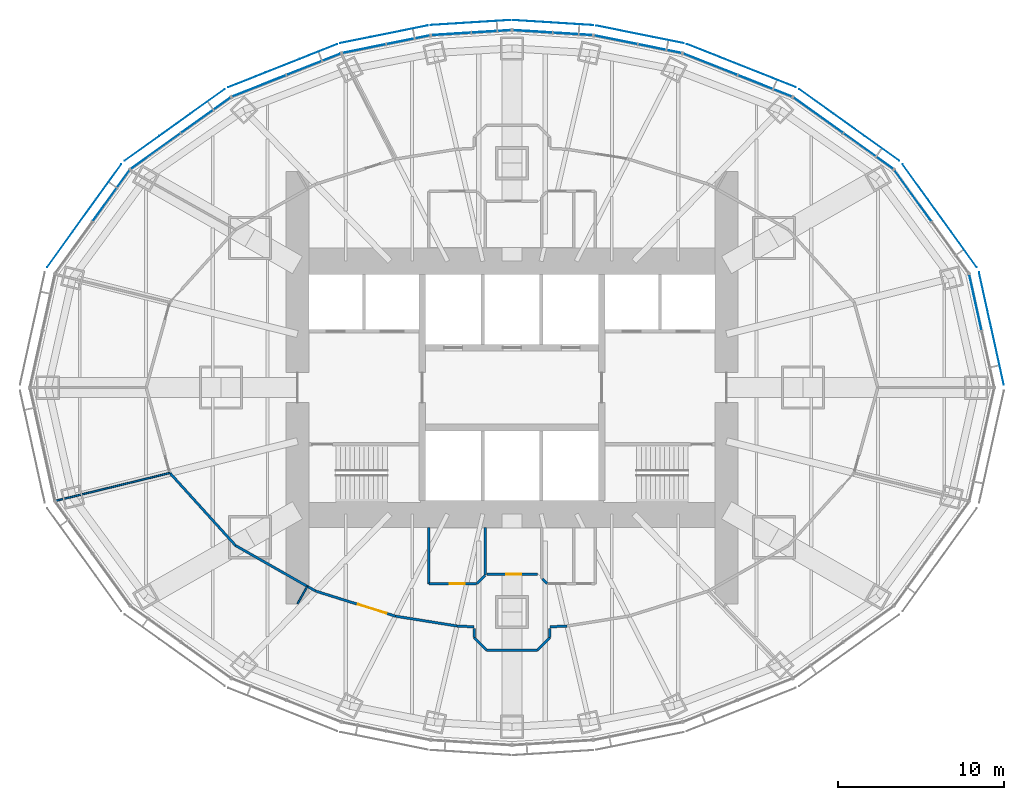
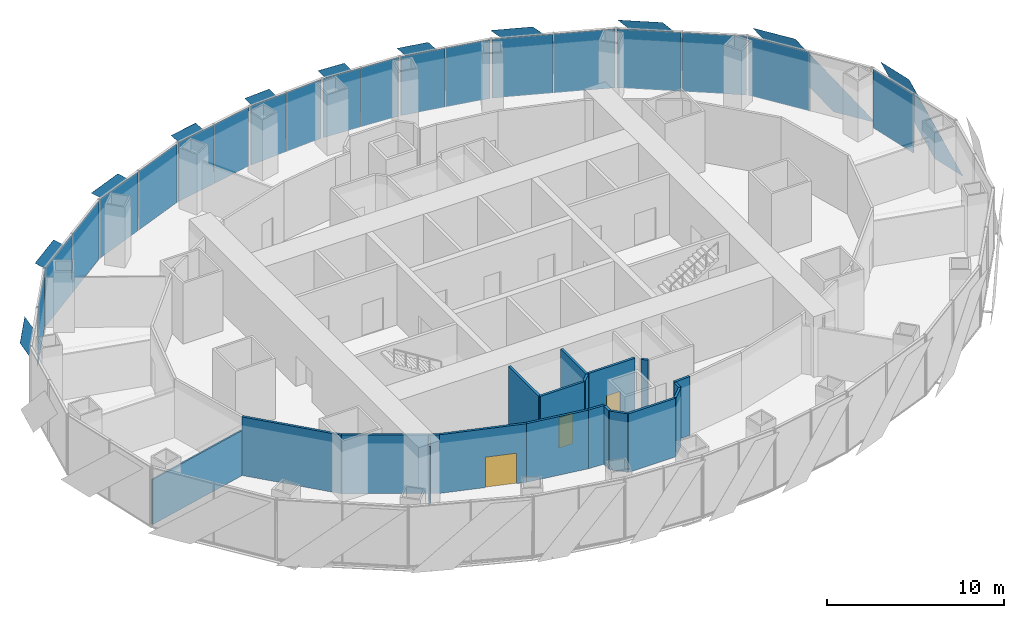
# One storey, part 10 of 17: 30 plates, 19 walls, 3 doors, 3 openings, 11 elements without a shape of their own.
"""IFC4 building model written with IfcOpenShell, lengths in metres."""

import ifcopenshell
import ifcopenshell.guid

model = None  # the IFC model being written
_history = None  # IfcOwnerHistory: only IFC2X3 demands one
_inside = {}  # id of a spatial element -> (the spatial element, [elements in it])
_under = {}  # id of a project, library or spatial element -> (it, [spatial elements below it])
_declared = {}  # id of a project -> (the project, [libraries it declares])
_typed = {}  # id of a type object -> (the type object, [elements of that type])
_made_of = {}  # id of a material, layer set ... -> (it, [elements and type objects made of it])


def new_model(schema):
    """Start an empty IFC model of exactly this schema.

    Asked for "IFC4X3", IfcOpenShell would pick the latest addendum, in which some entities
    have other attributes; the version numbers below select the first issue.
    IFC2X3 requires an IfcOwnerHistory on every rooted entity: one is made here for all.
    """
    global model, _history
    if schema == "IFC4X3":
        model = ifcopenshell.file(schema_version=(4, 3, 0, 0))
    else:
        model = ifcopenshell.file(schema=schema)
    _inside.clear()
    _under.clear()
    _declared.clear()
    _typed.clear()
    _made_of.clear()
    _history = None
    if model.schema == "IFC2X3":
        org = make("IfcOrganization", Name="unknown")
        user = make(
            "IfcPersonAndOrganization",
            ThePerson=make("IfcPerson", FamilyName="unknown"),
            TheOrganization=org,
        )
        app = make(
            "IfcApplication",
            ApplicationDeveloper=org,
            Version="unknown",
            ApplicationFullName="unknown",
            ApplicationIdentifier="unknown",
        )
        _history = make(
            "IfcOwnerHistory",
            OwningUser=user,
            OwningApplication=app,
            ChangeAction="ADDED",
            CreationDate=0,
        )
    return model


def make(cls, **values):
    """One entity of the class cls with the attributes given. An attribute that is None is left unset."""
    return model.create_entity(
        cls, **{name: value for name, value in values.items() if value is not None}
    )


def rooted(cls, **values):
    """An entity with a GlobalId (a new one), such as an element, a storey or a relation."""
    return make(cls, GlobalId=ifcopenshell.guid.new(), OwnerHistory=_history, **values)


def si_unit(unit_type, name, prefix=None):
    """IfcSIUnit, for example si_unit("LENGTHUNIT", "METRE", prefix="MILLI")."""
    return make("IfcSIUnit", UnitType=unit_type, Prefix=prefix, Name=name)


def assignment(units):
    """IfcUnitAssignment: the units of a project."""
    return None if units is None else make("IfcUnitAssignment", Units=units)


def point(xyz):
    """IfcCartesianPoint."""
    return None if xyz is None else make("IfcCartesianPoint", Coordinates=xyz)


def direction(xyz):
    """IfcDirection."""
    return None if xyz is None else make("IfcDirection", DirectionRatios=xyz)


def frame(location, z_axis=None, x_axis=None):
    """IfcAxis2Placement3D, a coordinate frame: its origin and axes. An axis left out is left unset."""
    return make(
        "IfcAxis2Placement3D",
        Location=point(location),
        Axis=direction(z_axis),
        RefDirection=direction(x_axis),
    )


def frame_2d(location, x_axis=None):
    """IfcAxis2Placement2D, a coordinate frame in the plane: its origin and x axis."""
    return make(
        "IfcAxis2Placement2D", Location=point(location), RefDirection=direction(x_axis)
    )


def origin():
    """The frame at (0, 0, 0) with its axes left unset."""
    return frame((0.0, 0.0, 0.0))


def origin_2d():
    """The frame at (0, 0) in the plane with its x axis left unset."""
    return frame_2d((0.0, 0.0))


def place(relative_to, where):
    """IfcLocalPlacement: puts the frame where relative to a parent placement (None: the world)."""
    return make(
        "IfcLocalPlacement", PlacementRelTo=relative_to, RelativePlacement=where
    )


def context(
    kind, dimensions, precision=None, world=None, true_north=None, identifier=None
):
    """IfcGeometricRepresentationContext, for example the 3D "Model" context."""
    return make(
        "IfcGeometricRepresentationContext",
        ContextIdentifier=identifier,
        ContextType=kind,
        CoordinateSpaceDimension=dimensions,
        Precision=precision,
        WorldCoordinateSystem=world,
        TrueNorth=true_north,
    )


def subcontext(parent, identifier, kind, view, scale=None):
    """IfcGeometricRepresentationSubContext, for example "Body" below "Model"."""
    return make(
        "IfcGeometricRepresentationSubContext",
        ContextIdentifier=identifier,
        ContextType=kind,
        ParentContext=parent,
        TargetScale=scale,
        TargetView=view,
    )


def project(units=None, contexts=None):
    """IfcProject with its units and contexts."""
    return rooted(
        "IfcProject",
        Name="project",
        RepresentationContexts=contexts,
        UnitsInContext=assignment(units),
    )


def spatial(cls, under=None, at=None, **own):
    """A site, building, storey or space (cls), placed at a placement, below another one or the project."""
    s = rooted(cls, ObjectPlacement=at, **own)
    if under is not None:
        _under.setdefault(under.id(), (under, []))[1].append(s)
    return s


def polyline(points):
    """IfcPolyline through the points."""
    return make("IfcPolyline", Points=[point(p) for p in points])


def profile(cls, at=None, kind="AREA", **sizes):
    """A parametric profile (cls). Its sizes go by their IFC names, for example OverallWidth=200.0."""
    return make(cls, ProfileType=kind, Position=at, **sizes)


def rectangle(**sizes):
    """IfcRectangleProfileDef."""
    return profile("IfcRectangleProfileDef", **sizes)


def outline(outer, holes=None, kind="AREA"):
    """IfcArbitraryClosedProfileDef: a profile drawn as a closed curve; with holes, ...WithVoids."""
    if holes is None:
        return make("IfcArbitraryClosedProfileDef", ProfileType=kind, OuterCurve=outer)
    return make(
        "IfcArbitraryProfileDefWithVoids",
        ProfileType=kind,
        OuterCurve=outer,
        InnerCurves=holes,
    )


def extrude(swept, where, along, depth):
    """IfcExtrudedAreaSolid: the profile swept, set in the frame where, extruded along a direction by depth."""
    return make(
        "IfcExtrudedAreaSolid",
        SweptArea=swept,
        Position=where,
        ExtrudedDirection=direction(along),
        Depth=depth,
    )


def shape(context_of_items, identifier, shape_type, items):
    """IfcShapeRepresentation: the items that make up one representation, for example the "Body"."""
    return make(
        "IfcShapeRepresentation",
        ContextOfItems=context_of_items,
        RepresentationIdentifier=identifier,
        RepresentationType=shape_type,
        Items=items,
    )


def material(Name=None, Category=None):
    """IfcMaterial."""
    return make("IfcMaterial", Name=Name, Category=Category)


def layer(
    of_material, thickness, ventilated=None, Name=None, Category=None, Priority=None
):
    """IfcMaterialLayer: one layer of a wall or slab, of a material (None: an air gap)."""
    return make(
        "IfcMaterialLayer",
        Material=of_material,
        LayerThickness=thickness,
        IsVentilated=ventilated,
        Name=Name,
        Category=Category,
        Priority=Priority,
    )


def layer_set(layers, Name=None):
    """IfcMaterialLayerSet."""
    return make("IfcMaterialLayerSet", MaterialLayers=layers, LayerSetName=Name)


def made_of(thing, what):
    """Note that an element or type object is made of a material, layer set ...; save() writes the relation."""
    if what is not None:
        _made_of.setdefault(what.id(), (what, []))[1].append(thing)
    return thing


def type_object(cls, material=None, **own):
    """A type object (cls), such as IfcWallType, which elements share."""
    return made_of(rooted(cls, **own), material)


def element(
    cls,
    number,
    at=None,
    inside=None,
    cuts=None,
    type_object=None,
    material=None,
    context=None,
    identifier="Body",
    shape_type=None,
    held_by="IfcProductDefinitionShape",
    body=None,
    shapes=None,
    **own,
):
    """One element of the class cls, such as IfcWall. Its Tag is "e" and its number.

    at: its placement. inside: the storey or other place that contains it. cuts: it is an
    opening in that element (IfcRelVoidsElement). A single representation is given by context,
    identifier, shape_type and body (its items); several are given by shapes. held_by: the class
    of the entity that holds the representations. save() writes the other relations.
    """
    e = rooted(cls, Tag="e%d" % number, ObjectPlacement=at, **own)
    if body is not None:
        shapes = [shape(context, identifier, shape_type, body)]
    if shapes is not None:
        e.Representation = make(held_by, Representations=shapes)
    if inside is not None:
        _inside.setdefault(inside.id(), (inside, []))[1].append(e)
    if cuts is not None:
        rooted(
            "IfcRelVoidsElement", RelatingBuildingElement=cuts, RelatedOpeningElement=e
        )
    if type_object is not None:
        _typed.setdefault(type_object.id(), (type_object, []))[1].append(e)
    return made_of(e, material)


def fill(opening, filler):
    """IfcRelFillsElement: the door or window that sits in an opening."""
    return rooted(
        "IfcRelFillsElement",
        RelatingOpeningElement=opening,
        RelatedBuildingElement=filler,
    )


def aggregate(whole, parts):
    """IfcRelAggregates: a whole, such as a stair, and the parts it consists of."""
    return rooted("IfcRelAggregates", RelatingObject=whole, RelatedObjects=parts)


def save(model, path):
    """Write the relations noted so far, then the file.

    IfcRelAggregates (storeys below a building ...), IfcRelContainedInSpatialStructure (elements
    in a storey), IfcRelDefinesByType, IfcRelAssociatesMaterial and IfcRelDeclares: one each for
    every whole, place, type object, material and project.
    """
    for whole, parts in _under.values():
        aggregate(whole, parts)
    for where, things in _inside.values():
        rooted(
            "IfcRelContainedInSpatialStructure",
            RelatedElements=things,
            RelatingStructure=where,
        )
    for kind, things in _typed.values():
        rooted("IfcRelDefinesByType", RelatedObjects=things, RelatingType=kind)
    for what, things in _made_of.values():
        rooted("IfcRelAssociatesMaterial", RelatedObjects=things, RelatingMaterial=what)
    for by, libraries in _declared.values():
        rooted("IfcRelDeclares", RelatingContext=by, RelatedDefinitions=libraries)
    model.write(path)


model = new_model("IFC4")

# Units and contexts
model_context = context("Model", 3, precision=1e-05, world=origin(), true_north=direction((0.0, 1.0)))
body_context = subcontext(model_context, "Body", "Model", "MODEL_VIEW")
ifc_project = project(units=[si_unit("LENGTHUNIT", "METRE"), si_unit("AREAUNIT", "SQUARE_METRE"), si_unit("VOLUMEUNIT", "CUBIC_METRE"), si_unit("PLANEANGLEUNIT", "RADIAN"), si_unit("MASSUNIT", "GRAM", prefix="KILO")], contexts=[model_context])

# Site, building, storey
site_placement = place(None, origin())
site = spatial("IfcSite", under=ifc_project, at=site_placement, CompositionType="ELEMENT")
building_placement = place(site_placement, origin())
building = spatial("IfcBuilding", under=site, at=building_placement, Name="Lantaw Convention Tower", CompositionType="ELEMENT")
storey_placement = place(building_placement, frame((0.0, 0.0, 117.39990234375)))
storey = spatial("IfcBuildingStorey", under=building, at=storey_placement, Name="L27", CompositionType="ELEMENT", Elevation=117.39990234375)

# Curtain wall, plate
ifc_material_1 = material(Name="Aluminium framed curtain wall", Category="aluminium")
curtain_wall_type = type_object("IfcCurtainWallType", Name="Office curtain wall low rise, pale aluminium", PredefinedType="USERDEFINED", material=ifc_material_1)
curtain_wall_1_placement = place(storey_placement, origin())
curtain_wall_1 = element("IfcCurtainWall", 1, at=curtain_wall_1_placement, inside=storey, type_object=curtain_wall_type, Name="Office curtain wall low rise, pale aluminium L27", ObjectType="UNITISED CURTAIN WALL", PredefinedType="USERDEFINED")
ifc_material_2 = material(Name="Clear insulating glass", Category="glass")
ifc_layer_1 = layer(ifc_material_2, 0.028076171875)
ifc_layer_set_1 = layer_set([ifc_layer_1], Name="CW-O1 panel 28")
plate_type_1 = type_object("IfcPlateType", Name="CW-O1 panel 28", PredefinedType="CURTAIN_PANEL", material=ifc_layer_set_1)
plate_1_placement = place(storey_placement, frame((27.868896484375, 5.1240234375, -0.0849609375), z_axis=(0.0, 0.0, 1.0), x_axis=(-0.215546166174, 0.9764936509, 0.0)))
plate_1 = element("IfcPlate", 2, at=plate_1_placement, type_object=plate_type_1, Name="CW-O1 panel 2.1", PredefinedType="CURTAIN_PANEL", context=body_context, shape_type="SweptSolid", body=[
    extrude(rectangle(XDim=3.41162109375, YDim=0.028076171875, at=origin_2d()), origin(), (0.0, 0.0, 1.0), 4.070068359375),
])
aggregate(curtain_wall_1, [plate_1])

curtain_wall_2_placement = place(storey_placement, origin())
curtain_wall_2 = element("IfcCurtainWall", 3, at=curtain_wall_2_placement, inside=storey, type_object=curtain_wall_type, Name="Office curtain wall low rise, pale aluminium L27", ObjectType="UNITISED CURTAIN WALL", PredefinedType="USERDEFINED")
plate_2_placement = place(storey_placement, frame((24.108154296875, 11.5439453125, -0.0849609375), z_axis=(0.0, 0.0, 1.0), x_axis=(-0.584512597221, 0.811384633629, 0.0)))
plate_2 = element("IfcPlate", 4, at=plate_2_placement, type_object=plate_type_1, Name="CW-O1 panel 2.1", PredefinedType="CURTAIN_PANEL", context=body_context, shape_type="SweptSolid", body=[
    extrude(rectangle(XDim=3.767333984375, YDim=0.028076171875, at=origin_2d()), origin(), (0.0, 0.0, 1.0), 4.070068359375),
])
aggregate(curtain_wall_2, [plate_2])

# Curtain wall, plates
curtain_wall_3_placement = place(storey_placement, origin())
curtain_wall_3 = element("IfcCurtainWall", 5, at=curtain_wall_3_placement, inside=storey, type_object=curtain_wall_type, Name="Office curtain wall low rise, pale aluminium L27", ObjectType="UNITISED CURTAIN WALL", PredefinedType="USERDEFINED")
plate_3_placement = place(storey_placement, frame((21.43408203125, 14.2236328125, -0.0849609375), z_axis=(0.0, 0.0, 1.0), x_axis=(-0.813208325995, 0.581972695693, 0.0)))
plate_3 = element("IfcPlate", 6, at=plate_3_placement, type_object=plate_type_1, Name="CW-O1 panel 1.1", PredefinedType="CURTAIN_PANEL", context=body_context, shape_type="SweptSolid", body=[
    extrude(rectangle(XDim=3.645263671875, YDim=0.028076171875, at=origin_2d()), origin(), (0.0, 0.0, 1.0), 4.070068359375),
])
plate_4_placement = place(storey_placement, frame((18.416748046875, 16.383056640625, -0.0849609375), z_axis=(0.0, 0.0, 1.0), x_axis=(-0.813208325995, 0.581972695693, 0.0)))
plate_4 = element("IfcPlate", 7, at=plate_4_placement, type_object=plate_type_1, Name="CW-O1 panel 2.1", PredefinedType="CURTAIN_PANEL", context=body_context, shape_type="SweptSolid", body=[
    extrude(rectangle(XDim=3.645263671875, YDim=0.028076171875, at=origin_2d()), origin(), (0.0, 0.0, 1.0), 4.070068359375),
])
aggregate(curtain_wall_3, [plate_3, plate_4])

curtain_wall_4_placement = place(storey_placement, origin())
curtain_wall_4 = element("IfcCurtainWall", 8, at=curtain_wall_4_placement, inside=storey, type_object=curtain_wall_type, Name="Office curtain wall low rise, pale aluminium L27", ObjectType="UNITISED CURTAIN WALL", PredefinedType="USERDEFINED")
plate_5_placement = place(storey_placement, frame((15.208251953125, 18.145263671875, -0.0849609375), z_axis=(0.0, 0.0, 1.0), x_axis=(-0.929547687544, 0.368701907483, 0.0)))
plate_5 = element("IfcPlate", 9, at=plate_5_placement, type_object=plate_type_1, Name="CW-O1 panel 1.1", PredefinedType="CURTAIN_PANEL", context=body_context, shape_type="SweptSolid", body=[
    extrude(rectangle(XDim=3.470703125, YDim=0.028076171875, at=origin_2d()), origin(), (0.0, 0.0, 1.0), 4.070068359375),
])
plate_6_placement = place(storey_placement, frame((11.921630859375, 19.448974609375, -0.0849609375), z_axis=(0.0, 0.0, 1.0), x_axis=(-0.929547687544, 0.368701907483, 0.0)))
plate_6 = element("IfcPlate", 10, at=plate_6_placement, type_object=plate_type_1, Name="CW-O1 panel 2.1", PredefinedType="CURTAIN_PANEL", context=body_context, shape_type="SweptSolid", body=[
    extrude(rectangle(XDim=3.470703125, YDim=0.028076171875, at=origin_2d()), origin(), (0.0, 0.0, 1.0), 4.070068359375),
])
aggregate(curtain_wall_4, [plate_5, plate_6])

curtain_wall_5_placement = place(storey_placement, origin())
curtain_wall_5 = element("IfcCurtainWall", 11, at=curtain_wall_5_placement, inside=storey, type_object=curtain_wall_type, Name="Office curtain wall low rise, pale aluminium L27", ObjectType="UNITISED CURTAIN WALL", PredefinedType="USERDEFINED")
plate_7_placement = place(storey_placement, frame((8.893310546875, 20.3857421875, -0.0849609375), z_axis=(0.0, 0.0, 1.0), x_axis=(-0.980301514912, 0.197506809659, 0.0)))
plate_7 = element("IfcPlate", 12, at=plate_7_placement, type_object=plate_type_1, Name="CW-O1 panel 1.1", PredefinedType="CURTAIN_PANEL", context=body_context, shape_type="SweptSolid", body=[
    extrude(rectangle(XDim=2.634033203125, YDim=0.028076171875, at=origin_2d()), origin(), (0.0, 0.0, 1.0), 4.070068359375),
])
plate_8_placement = place(storey_placement, frame((6.247314453125, 20.9189453125, -0.0849609375), z_axis=(0.0, 0.0, 1.0), x_axis=(-0.980301514912, 0.197506809659, 0.0)))
plate_8 = element("IfcPlate", 13, at=plate_8_placement, type_object=plate_type_1, Name="CW-O1 panel 2.1", PredefinedType="CURTAIN_PANEL", context=body_context, shape_type="SweptSolid", body=[
    extrude(rectangle(XDim=2.634033203125, YDim=0.028076171875, at=origin_2d()), origin(), (0.0, 0.0, 1.0), 4.070068359375),
])
aggregate(curtain_wall_5, [plate_7, plate_8])

curtain_wall_6_placement = place(storey_placement, origin())
curtain_wall_6 = element("IfcCurtainWall", 14, at=curtain_wall_6_placement, inside=storey, type_object=curtain_wall_type, Name="Office curtain wall low rise, pale aluminium L27", ObjectType="UNITISED CURTAIN WALL", PredefinedType="USERDEFINED")
plate_9_placement = place(storey_placement, frame((3.653076171875, 21.269775390625, -0.0849609375), z_axis=(0.0, 0.0, 1.0), x_axis=(-0.998022035978, 0.062865059466, 0.0)))
plate_9 = element("IfcPlate", 15, at=plate_9_placement, type_object=plate_type_1, Name="CW-O1 panel 1.1", PredefinedType="CURTAIN_PANEL", context=body_context, shape_type="SweptSolid", body=[
    extrude(rectangle(XDim=2.353515625, YDim=0.028076171875, at=origin_2d()), origin(), (0.0, 0.0, 1.0), 4.070068359375),
])
plate_10_placement = place(storey_placement, frame((1.2392578125, 21.421875, -0.0849609375), z_axis=(0.0, 0.0, 1.0), x_axis=(-0.998022035978, 0.062865059466, 0.0)))
plate_10 = element("IfcPlate", 16, at=plate_10_placement, type_object=plate_type_1, Name="CW-O1 panel 2.1", PredefinedType="CURTAIN_PANEL", context=body_context, shape_type="SweptSolid", body=[
    extrude(rectangle(XDim=2.353515625, YDim=0.028076171875, at=origin_2d()), origin(), (0.0, 0.0, 1.0), 4.070068359375),
])
aggregate(curtain_wall_6, [plate_9, plate_10])

curtain_wall_7_placement = place(storey_placement, origin())
curtain_wall_7 = element("IfcCurtainWall", 17, at=curtain_wall_7_placement, inside=storey, type_object=curtain_wall_type, Name="Office curtain wall low rise, pale aluminium L27", ObjectType="UNITISED CURTAIN WALL", PredefinedType="USERDEFINED")
plate_11_placement = place(storey_placement, frame((-1.2392578125, 21.421875, -0.0849609375), z_axis=(0.0, 0.0, 1.0), x_axis=(-0.998022035978, -0.062865059466, 0.0)))
plate_11 = element("IfcPlate", 18, at=plate_11_placement, type_object=plate_type_1, Name="CW-O1 panel 1.1", PredefinedType="CURTAIN_PANEL", context=body_context, shape_type="SweptSolid", body=[
    extrude(rectangle(XDim=2.353515625, YDim=0.028076171875, at=origin_2d()), origin(), (0.0, 0.0, 1.0), 4.070068359375),
])
plate_12_placement = place(storey_placement, frame((-3.653076171875, 21.269775390625, -0.0849609375), z_axis=(0.0, 0.0, 1.0), x_axis=(-0.998022035978, -0.062865059466, 0.0)))
plate_12 = element("IfcPlate", 19, at=plate_12_placement, type_object=plate_type_1, Name="CW-O1 panel 2.1", PredefinedType="CURTAIN_PANEL", context=body_context, shape_type="SweptSolid", body=[
    extrude(rectangle(XDim=2.353515625, YDim=0.028076171875, at=origin_2d()), origin(), (0.0, 0.0, 1.0), 4.070068359375),
])
aggregate(curtain_wall_7, [plate_11, plate_12])

curtain_wall_8_placement = place(storey_placement, origin())
curtain_wall_8 = element("IfcCurtainWall", 20, at=curtain_wall_8_placement, inside=storey, type_object=curtain_wall_type, Name="Office curtain wall low rise, pale aluminium L27", ObjectType="UNITISED CURTAIN WALL", PredefinedType="USERDEFINED")
plate_13_placement = place(storey_placement, frame((-6.247314453125, 20.9189453125, -0.0849609375), z_axis=(0.0, 0.0, 1.0), x_axis=(-0.980301514912, -0.197506809659, 0.0)))
plate_13 = element("IfcPlate", 21, at=plate_13_placement, type_object=plate_type_1, Name="CW-O1 panel 1.1", PredefinedType="CURTAIN_PANEL", context=body_context, shape_type="SweptSolid", body=[
    extrude(rectangle(XDim=2.634033203125, YDim=0.028076171875, at=origin_2d()), origin(), (0.0, 0.0, 1.0), 4.070068359375),
])
plate_14_placement = place(storey_placement, frame((-8.893310546875, 20.3857421875, -0.0849609375), z_axis=(0.0, 0.0, 1.0), x_axis=(-0.980301514912, -0.197506809659, 0.0)))
plate_14 = element("IfcPlate", 22, at=plate_14_placement, type_object=plate_type_1, Name="CW-O1 panel 2.1", PredefinedType="CURTAIN_PANEL", context=body_context, shape_type="SweptSolid", body=[
    extrude(rectangle(XDim=2.634033203125, YDim=0.028076171875, at=origin_2d()), origin(), (0.0, 0.0, 1.0), 4.070068359375),
])
aggregate(curtain_wall_8, [plate_13, plate_14])

curtain_wall_9_placement = place(storey_placement, origin())
curtain_wall_9 = element("IfcCurtainWall", 23, at=curtain_wall_9_placement, inside=storey, type_object=curtain_wall_type, Name="Office curtain wall low rise, pale aluminium L27", ObjectType="UNITISED CURTAIN WALL", PredefinedType="USERDEFINED")
plate_15_placement = place(storey_placement, frame((-11.921630859375, 19.448974609375, -0.0849609375), z_axis=(0.0, 0.0, 1.0), x_axis=(-0.929547687544, -0.368701907483, 0.0)))
plate_15 = element("IfcPlate", 24, at=plate_15_placement, type_object=plate_type_1, Name="CW-O1 panel 1.1", PredefinedType="CURTAIN_PANEL", context=body_context, shape_type="SweptSolid", body=[
    extrude(rectangle(XDim=3.470703125, YDim=0.028076171875, at=origin_2d()), origin(), (0.0, 0.0, 1.0), 4.070068359375),
])
plate_16_placement = place(storey_placement, frame((-15.208251953125, 18.145263671875, -0.0849609375), z_axis=(0.0, 0.0, 1.0), x_axis=(-0.929547687544, -0.368701907483, 0.0)))
plate_16 = element("IfcPlate", 25, at=plate_16_placement, type_object=plate_type_1, Name="CW-O1 panel 2.1", PredefinedType="CURTAIN_PANEL", context=body_context, shape_type="SweptSolid", body=[
    extrude(rectangle(XDim=3.470703125, YDim=0.028076171875, at=origin_2d()), origin(), (0.0, 0.0, 1.0), 4.070068359375),
])
aggregate(curtain_wall_9, [plate_15, plate_16])

curtain_wall_10_placement = place(storey_placement, origin())
curtain_wall_10 = element("IfcCurtainWall", 26, at=curtain_wall_10_placement, inside=storey, type_object=curtain_wall_type, Name="Office curtain wall low rise, pale aluminium L27", ObjectType="UNITISED CURTAIN WALL", PredefinedType="USERDEFINED")
plate_17_placement = place(storey_placement, frame((-18.416748046875, 16.383056640625, -0.0849609375), z_axis=(0.0, 0.0, 1.0), x_axis=(-0.813208325995, -0.581972695693, 0.0)))
plate_17 = element("IfcPlate", 27, at=plate_17_placement, type_object=plate_type_1, Name="CW-O1 panel 1.1", PredefinedType="CURTAIN_PANEL", context=body_context, shape_type="SweptSolid", body=[
    extrude(rectangle(XDim=3.645263671875, YDim=0.028076171875, at=origin_2d()), origin(), (0.0, 0.0, 1.0), 4.070068359375),
])
plate_18_placement = place(storey_placement, frame((-21.43408203125, 14.2236328125, -0.0849609375), z_axis=(0.0, 0.0, 1.0), x_axis=(-0.813208325995, -0.581972695693, 0.0)))
plate_18 = element("IfcPlate", 28, at=plate_18_placement, type_object=plate_type_1, Name="CW-O1 panel 2.1", PredefinedType="CURTAIN_PANEL", context=body_context, shape_type="SweptSolid", body=[
    extrude(rectangle(XDim=3.645263671875, YDim=0.028076171875, at=origin_2d()), origin(), (0.0, 0.0, 1.0), 4.070068359375),
])
aggregate(curtain_wall_10, [plate_17, plate_18])

# Curtain wall, plate
curtain_wall_11_placement = place(storey_placement, origin())
curtain_wall_11 = element("IfcCurtainWall", 29, at=curtain_wall_11_placement, inside=storey, type_object=curtain_wall_type, Name="Office curtain wall low rise, pale aluminium L27", ObjectType="UNITISED CURTAIN WALL", PredefinedType="USERDEFINED")
plate_19_placement = place(storey_placement, frame((-24.108154296875, 11.5439453125, -0.0849609375), z_axis=(0.0, 0.0, 1.0), x_axis=(-0.584512597221, -0.811384633629, 0.0)))
plate_19 = element("IfcPlate", 30, at=plate_19_placement, type_object=plate_type_1, Name="CW-O1 panel 1.1", PredefinedType="CURTAIN_PANEL", context=body_context, shape_type="SweptSolid", body=[
    extrude(rectangle(XDim=3.767333984375, YDim=0.028076171875, at=origin_2d()), origin(), (0.0, 0.0, 1.0), 4.070068359375),
])
aggregate(curtain_wall_11, [plate_19])

# Plates
ifc_material_3 = material(Name="Perforated aluminium sheet, pale silver finish", Category="aluminium")
ifc_layer_2 = layer(ifc_material_3, 0.006103515625)
ifc_layer_set_2 = layer_set([ifc_layer_2], Name="Perforated aluminium solar SCREEN panel")
plate_type_2 = type_object("IfcPlateType", Name="Perforated aluminium solar SCREEN panel", PredefinedType="SHEET", material=ifc_layer_set_2)
plate_20_placement = place(storey_placement, frame((29.5810546875, 0.179443359375, -0.1748046875), z_axis=(0.976497812463, 0.215527309509, 3.3329045e-05), x_axis=(-0.215527309629, 0.976497813005, 1.665e-09)))
element("IfcPlate", 31, at=plate_20_placement, inside=storey, type_object=plate_type_2, Name="Solar SCREEN panel", PredefinedType="SHEET", context=body_context, shape_type="SweptSolid", body=[
    extrude(outline(polyline([(0.0, 0.0), (2.3861843673609986, 0.0), (6.918240190546627, 4.339843740891906), (4.532108442157707, 4.339843748837556), (0.0, 0.0)])), origin(), (0.0, 0.0, -1.0), 0.006103515625),
])
plate_21_placement = place(storey_placement, frame((27.94970703125, 7.248046875, -0.1748046875), z_axis=(0.81139512159, 0.584498037099, 3.5888803e-05), x_axis=(-0.584498037475, 0.811395122112, -9.74e-10)))
element("IfcPlate", 32, at=plate_21_placement, inside=storey, type_object=plate_type_2, Name="Solar SCREEN panel", PredefinedType="SHEET", context=body_context, shape_type="SweptSolid", body=[
    extrude(outline(polyline([(0.0, 0.0), (2.628222178575422, -6.776263578034403e-21), (7.629778257969264, 4.339843760228519), (5.001754173906077, 4.339843755107391), (0.0, 0.0)])), origin(), (0.0, 0.0, -1.0), 0.006103515625),
])
plate_22_placement = place(storey_placement, frame((23.281005859375, 13.64697265625, -0.1748046875), z_axis=(0.582000183937, 0.813188653244, 1.1537794e-05), x_axis=(-0.813188653298, 0.582000183975, 0.0)))
element("IfcPlate", 33, at=plate_22_placement, inside=storey, type_object=plate_type_2, Name="Solar SCREEN panel", PredefinedType="SHEET", context=body_context, shape_type="SweptSolid", body=[
    extrude(outline(polyline([(0.0, 0.0), (2.5450183911586484, 1.6940658945086007e-21), (7.385531276904658, 4.339843750288861), (4.840512885746009, 4.339843750288861), (0.0, 0.0)])), origin(), (0.0, 0.0, -1.0), 0.006103515625),
])
plate_23_placement = place(storey_placement, frame((17.05859375, 18.063232421875, -0.1748046875), z_axis=(-0.368708915367, -0.929544907797, 1.0867661e-05), x_axis=(-0.929544907851, 0.368708915389, 7.1e-10)))
element("IfcPlate", 34, at=plate_23_placement, inside=storey, type_object=plate_type_2, Name="Solar SCREEN panel", PredefinedType="SHEET", context=body_context, shape_type="SweptSolid", body=[
    extrude(outline(polyline([(0.0, 0.0), (2.4263803793049097, 0.0), (7.036549629566982, -4.339843745261612), (4.61003232741235, -4.339843748706285), (0.0, 0.0)])), origin(), (0.0, 0.0, -1.0), 0.006103515625),
])
plate_24_placement = place(storey_placement, frame((10.318603515625, 20.716796875, -0.1748046875), z_axis=(0.197556725442, 0.980291455983, 3.9485719e-05), x_axis=(-0.980291456747, 0.197556725596, 0.0)))
element("IfcPlate", 35, at=plate_24_placement, inside=storey, type_object=plate_type_2, Name="Solar SCREEN panel", PredefinedType="SHEET", context=body_context, shape_type="SweptSolid", body=[
    extrude(outline(polyline([(0.0, 0.0), (1.8574075788555457, 1.6940658945086007e-21), (5.362987026845185, 4.339843753383173), (3.505579447989639, 4.339843753383173), (0.0, 0.0)])), origin(), (0.0, 0.0, -1.0), 0.006103515625),
])
plate_25_placement = place(storey_placement, frame((4.880615234375, 21.7998046875, -0.1748046875), z_axis=(0.062838799866, 0.998023689713, 1.755158e-06), x_axis=(-0.998023689715, 0.062838799866, -8e-12)))
element("IfcPlate", 36, at=plate_25_placement, inside=storey, type_object=plate_type_2, Name="Solar SCREEN panel", PredefinedType="SHEET", context=body_context, shape_type="SweptSolid", body=[
    extrude(outline(polyline([(0.0, 0.0), (1.6666243269452135, 2.6469779601696886e-23), (4.802214797186689, 4.339843750045478), (3.135346812114104, 4.33984375001855), (0.0, 0.0)])), origin(), (0.0, 0.0, -1.0), 0.006103515625),
])
plate_26_placement = place(storey_placement, frame((-0.087890625, 22.1015625, -0.1748046875), z_axis=(0.062838799866, -0.998023689713, 1.755158e-06), x_axis=(-0.998023689715, -0.062838799866, 8e-12)))
element("IfcPlate", 37, at=plate_26_placement, inside=storey, type_object=plate_type_2, Name="Solar SCREEN panel", PredefinedType="SHEET", context=body_context, shape_type="SweptSolid", body=[
    extrude(outline(polyline([(0.0, 0.0), (1.6668679850725854, -5.293955920339377e-23), (4.802214797256801, -4.339843749967897), (3.1355904703115876, -4.339843749994822), (0.0, 0.0)])), origin(), (0.0, 0.0, -1.0), 0.006103515625),
])
plate_27_placement = place(storey_placement, frame((-5.061279296875, 21.776123046875, -0.1748046875), z_axis=(0.197556725442, -0.980291455983, 3.9485719e-05), x_axis=(-0.980291456747, -0.197556725596, 0.0)))
element("IfcPlate", 38, at=plate_27_placement, inside=storey, type_object=plate_type_2, Name="Solar SCREEN panel", PredefinedType="SHEET", context=body_context, shape_type="SweptSolid", body=[
    extrude(outline(polyline([(0.0, 0.0), (1.8574075788555457, -1.6940658945086007e-21), (5.362987026845185, -4.339843753383173), (3.505579447989639, -4.339843753383173), (0.0, 0.0)])), origin(), (0.0, 0.0, -1.0), 0.006103515625),
])
plate_28_placement = place(storey_placement, frame((-10.517822265625, 20.65771484375, -0.1748046875), z_axis=(-0.368708915367, 0.929544907797, 1.0867661e-05), x_axis=(-0.929544907851, -0.368708915389, -7.1e-10)))
element("IfcPlate", 39, at=plate_28_placement, inside=storey, type_object=plate_type_2, Name="Solar SCREEN panel", PredefinedType="SHEET", context=body_context, shape_type="SweptSolid", body=[
    extrude(outline(polyline([(0.0, 0.0), (2.426517302154632, 1.6940658945086007e-21), (7.036549623406159, 4.339843755250667), (4.610169244101249, 4.339843751806188), (0.0, 0.0)])), origin(), (0.0, 0.0, -1.0), 0.006103515625),
])
plate_29_placement = place(storey_placement, frame((-17.275146484375, 17.9453125, -0.1748046875), z_axis=(0.582000183937, -0.813188653244, 1.1537794e-05), x_axis=(-0.813188653298, -0.582000183975, 0.0)))
element("IfcPlate", 40, at=plate_29_placement, inside=storey, type_object=plate_type_2, Name="Solar SCREEN panel", PredefinedType="SHEET", context=body_context, shape_type="SweptSolid", body=[
    extrude(outline(polyline([(0.0, 0.0), (2.5450183911586484, -1.6940658945086007e-21), (7.385531276904658, -4.339843750288861), (4.840512885746009, -4.339843750288861), (0.0, 0.0)])), origin(), (0.0, 0.0, -1.0), 0.006103515625),
])
plate_30_placement = place(storey_placement, frame((-23.489990234375, 13.438720703125, -0.1748046875), z_axis=(0.81139512159, -0.584498037099, 3.5888803e-05), x_axis=(-0.584498037475, -0.811395122112, 9.74e-10)))
element("IfcPlate", 41, at=plate_30_placement, inside=storey, type_object=plate_type_2, Name="Solar SCREEN panel", PredefinedType="SHEET", context=body_context, shape_type="SweptSolid", body=[
    extrude(outline(polyline([(0.0, 0.0), (2.6280240840631874, 6.776263578034403e-21), (7.62977826642615, -4.339843745360666), (5.001556087850728, -4.3398437504821805), (0.0, 0.0)])), origin(), (0.0, 0.0, -1.0), 0.006103515625),
])

# Walls
ifc_material_4 = material(Name="Gypsum board on steel studs, fire rated", Category="steel")
ifc_layer_3 = layer(ifc_material_4, 0.14990234375)
ifc_layer_set_3 = layer_set([ifc_layer_3], Name="Corridor wall 150 EI 60")
wall_type_1 = type_object("IfcWallType", Name="Corridor wall 150 EI 60", PredefinedType="PARTITIONING", material=ifc_layer_set_3)
wall_1_placement = place(storey_placement, frame((-20.576904296875, -5.13037109375, 0.0), z_axis=(0.0, 0.0, 1.0), x_axis=(0.671118353743, -0.741350224435, 0.0)))
element("IfcWall", 42, at=wall_1_placement, inside=storey, type_object=wall_type_1, Name="Corridor wall 150", PredefinedType="PARTITIONING", context=body_context, shape_type="SweptSolid", body=[
    extrude(rectangle(XDim=5.89208984375, YDim=0.14990234375, at=frame_2d((2.946044921875, 0.0))), origin(), (0.0, 0.0, 1.0), 4.050048828125),
])
wall_2_placement = place(storey_placement, frame((-16.62255859375, -9.49853515625, 0.0), z_axis=(0.0, 0.0, 1.0), x_axis=(0.869375991036, -0.494151177485, 0.0)))
element("IfcWall", 43, at=wall_2_placement, inside=storey, type_object=wall_type_1, Name="Corridor wall 150", PredefinedType="PARTITIONING", context=body_context, shape_type="SweptSolid", body=[
    extrude(rectangle(XDim=5.532470703125, YDim=0.14990234375, at=frame_2d((2.76611328125, 0.0))), origin(), (0.0, 0.0, 1.0), 4.050048828125),
])

# Wall, opening, door
wall_3_placement = place(storey_placement, frame((-11.812744140625, -12.232421875, 0.0), z_axis=(0.0, 0.0, 1.0), x_axis=(0.953893934057, -0.300143903101, 0.0)))
wall_3 = element("IfcWall", 44, at=wall_3_placement, inside=storey, type_object=wall_type_1, Name="Corridor wall 150", PredefinedType="PARTITIONING", context=body_context, shape_type="SweptSolid", body=[
    extrude(rectangle(XDim=5.04150390625, YDim=0.14990234375, at=frame_2d((2.520751953125, 0.0))), origin(), (0.0, 0.0, 1.0), 4.050048828125),
])
opening_1_placement = place(wall_3_placement, frame((2.671142578125, 0.0, 0.0)))
opening_1 = element("IfcOpeningElement", 45, at=opening_1_placement, cuts=wall_3, Name="Opening L27.27", PredefinedType="OPENING", context=body_context, shape_type="SweptSolid", body=[
    extrude(rectangle(XDim=1.800048828125, YDim=2.10009765625, at=frame_2d((0.89990234375, 1.050048828125))), frame((0.0, 0.0849609375, 0.0), z_axis=(0.0, -1.0, 0.0), x_axis=(1.0, 0.0, 0.0)), (0.0, 0.0, 1.0), 0.169921875),
])
ifc_material_5 = material(Name="Steel, fire rated", Category="steel")
door_type_1 = type_object("IfcDoorType", Name="Office double door 1800 FD30", OperationType="DOUBLE_DOOR_DOUBLE_SWING", PredefinedType="DOOR", material=ifc_material_5)
door_1_placement = place(opening_1_placement, origin())
door_1 = element("IfcDoor", 46, at=door_1_placement, inside=storey, type_object=door_type_1, Name="Contact-centre floor door", OperationType="DOUBLE_DOOR_DOUBLE_SWING", OverallHeight=2.10009765625, OverallWidth=1.800048828125, PredefinedType="DOOR", context=body_context, shape_type="SweptSolid", body=[
    extrude(rectangle(XDim=1.800048828125, YDim=2.10009765625, at=frame_2d((0.89990234375, 1.050048828125))), frame((0.0, 0.02490234375, 0.0), z_axis=(0.0, -1.0, 0.0), x_axis=(1.0, 0.0, 0.0)), (0.0, 0.0, 1.0), 0.050048828125),
])
fill(opening_1, door_1)

# Walls
wall_4_placement = place(storey_placement, frame((-7.003662109375, -13.74560546875, 0.0), z_axis=(0.0, 0.0, 1.0), x_axis=(0.987511396594, -0.157547585181, 0.0)))
element("IfcWall", 47, at=wall_4_placement, inside=storey, type_object=wall_type_1, Name="Corridor wall 150", PredefinedType="PARTITIONING", context=body_context, shape_type="SweptSolid", body=[
    extrude(rectangle(XDim=3.74072265625, YDim=0.14990234375, at=frame_2d((1.870361328125, 0.0))), origin(), (0.0, 0.0, 1.0), 4.050048828125),
])
for number, where, z_axis, x_axis, name in (
    (48, (-3.3095703125, -14.3349609375, 0.0), (0.0, 0.0, 1.0), (0.998761909217, -0.049745841003, 0.0), "Corridor wall 150"),
    (49, (2.294921875, -14.385498046875, 0.0), (0.0, 0.0, 1.0), (0.998761909217, 0.049745841003, 0.0), "Corridor wall 150"),
):
    element("IfcWall", number, at=place(storey_placement, frame(where, z_axis=z_axis, x_axis=x_axis)), inside=storey, type_object=wall_type_1, Name=name, PredefinedType="PARTITIONING", context=body_context, shape_type="SweptSolid", body=[
        extrude(rectangle(XDim=1.015869140625, YDim=0.14990234375, at=frame_2d((0.5078125, 0.0))), origin(), (0.0, 0.0, 1.0), 4.050048828125),
    ])
for number, where, z_axis, x_axis, name in (
    (50, (-2.284912109375, -15.0322265625, 0.0), (0.0, 0.0, 1.0), (0.0, 1.0, 0.0), "Corridor wall 150"),
    (51, (2.284912109375, -14.487060546875, 0.0), (0.0, 0.0, 1.0), (0.0, -1.0, 0.0), "Corridor wall 150"),
):
    element("IfcWall", number, at=place(storey_placement, frame(where, z_axis=z_axis, x_axis=x_axis)), inside=storey, type_object=wall_type_1, Name=name, PredefinedType="PARTITIONING", context=body_context, shape_type="SweptSolid", body=[
        extrude(rectangle(XDim=0.545166015625, YDim=0.14990234375, at=frame_2d((0.2724609375, 0.0))), origin(), (0.0, 0.0, 1.0), 4.050048828125),
    ])
wall_5_placement = place(storey_placement, frame((2.284912109375, -15.0322265625, 0.0), z_axis=(0.0, 0.0, 1.0), x_axis=(-0.707106781187, -0.707106781187, 0.0)))
element("IfcWall", 52, at=wall_5_placement, inside=storey, type_object=wall_type_1, Name="Corridor wall 150", PredefinedType="PARTITIONING", context=body_context, shape_type="SweptSolid", body=[
    extrude(rectangle(XDim=1.064453125, YDim=0.14990234375, at=frame_2d((0.5322265625, 0.0))), origin(), (0.0, 0.0, 1.0), 4.050048828125),
])
wall_6_placement = place(storey_placement, frame((1.5322265625, -15.784912109375, 0.0), z_axis=(0.0, 0.0, 1.0), x_axis=(-1.0, 0.0, 0.0)))
element("IfcWall", 53, at=wall_6_placement, inside=storey, type_object=wall_type_1, Name="Corridor wall 150", PredefinedType="PARTITIONING", context=body_context, shape_type="SweptSolid", body=[
    extrude(rectangle(XDim=3.064453125, YDim=0.14990234375, at=frame_2d((1.5322265625, 0.0))), origin(), (0.0, 0.0, 1.0), 4.050048828125),
])
wall_7_placement = place(storey_placement, frame((-1.5322265625, -15.784912109375, 0.0), z_axis=(0.0, 0.0, 1.0), x_axis=(-0.707106781187, 0.707106781187, 0.0)))
element("IfcWall", 54, at=wall_7_placement, inside=storey, type_object=wall_type_1, Name="Corridor wall 150", PredefinedType="PARTITIONING", context=body_context, shape_type="SweptSolid", body=[
    extrude(rectangle(XDim=1.064453125, YDim=0.14990234375, at=frame_2d((0.5322265625, 0.0))), origin(), (0.0, 0.0, 1.0), 4.050048828125),
])
ifc_material_6 = material(Name="Gypsum board on steel studs, acoustic", Category="steel")
ifc_layer_4 = layer(ifc_material_6, 0.10009765625)
ifc_layer_set_4 = layer_set([ifc_layer_4], Name="Office partition 100")
wall_type_2 = type_object("IfcWallType", Name="Office partition 100", PredefinedType="PARTITIONING", material=ifc_layer_set_4)
wall_8_placement = place(storey_placement, frame((-27.440673828125, -6.808837890625, 0.0), z_axis=(0.0, 0.0, 1.0), x_axis=(0.971377572955, 0.237540755996, 0.0)))
element("IfcWall", 55, at=wall_8_placement, inside=storey, type_object=wall_type_2, Name="Office partition 100", PredefinedType="PARTITIONING", context=body_context, shape_type="SweptSolid", body=[
    extrude(rectangle(XDim=7.06591796875, YDim=0.10009765625, at=frame_2d((3.532958984375, 0.0))), origin(), (0.0, 0.0, 1.0), 3.11279296875),
])
wall_9_placement = place(storey_placement, frame((-12.89990234375, -13.0, 0.0), z_axis=(0.0, 0.0, 1.0), x_axis=(0.494173075358, 0.869363543974, 0.0)))
element("IfcWall", 56, at=wall_9_placement, inside=storey, type_object=wall_type_2, Name="Office partition 100", PredefinedType="PARTITIONING", context=body_context, shape_type="SweptSolid", body=[
    extrude(rectangle(XDim=1.204345703125, YDim=0.10009765625, at=frame_2d((0.60205078125, 0.0))), origin(), (0.0, 0.0, 1.0), 4.050048828125),
])
ifc_material_7 = material(Name="Concrete blockwork", Category="masonry")
ifc_layer_5 = layer(ifc_material_7, 0.14990234375)
ifc_layer_set_5 = layer_set([ifc_layer_5], Name="WC wall 150")
wall_type_3 = type_object("IfcWallType", Name="WC wall 150", PredefinedType="SOLIDWALL", material=ifc_layer_set_5)
wall_10_placement = place(storey_placement, frame((-5.0, -8.39990234375, 0.0), z_axis=(0.0, 0.0, 1.0), x_axis=(0.0, -1.0, 0.0)))
element("IfcWall", 57, at=wall_10_placement, inside=storey, type_object=wall_type_3, Name="WC wall 150", PredefinedType="SOLIDWALL", context=body_context, shape_type="SweptSolid", body=[
    extrude(rectangle(XDim=3.400146484375, YDim=0.14990234375, at=frame_2d((1.7001953125, 0.0))), origin(), (0.0, 0.0, 1.0), 4.050048828125),
])

# Wall, opening, door
wall_11_placement = place(storey_placement, frame((-5.0, -11.800048828125, 0.0), z_axis=(0.0, 0.0, 1.0), x_axis=(1.0, 0.0, 0.0)))
wall_11 = element("IfcWall", 58, at=wall_11_placement, inside=storey, type_object=wall_type_3, Name="WC wall 150", PredefinedType="SOLIDWALL", context=body_context, shape_type="SweptSolid", body=[
    extrude(rectangle(XDim=2.86865234375, YDim=0.14990234375, at=frame_2d((1.434326171875, 0.0))), origin(), (0.0, 0.0, 1.0), 4.050048828125),
])
opening_2_placement = place(wall_11_placement, frame((1.25, 0.0, 0.0)))
opening_2 = element("IfcOpeningElement", 59, at=opening_2_placement, cuts=wall_11, Name="Opening L27.18", PredefinedType="OPENING", context=body_context, shape_type="SweptSolid", body=[
    extrude(rectangle(XDim=0.89990234375, YDim=2.10009765625, at=frame_2d((0.449951171875, 1.050048828125))), frame((0.0, 0.0849609375, 0.0), z_axis=(0.0, -1.0, 0.0), x_axis=(1.0, 0.0, 0.0)), (0.0, 0.0, 1.0), 0.169921875),
])
ifc_material_8 = material(Name="Timber", Category="wood")
door_type_2 = type_object("IfcDoorType", Name="WC door 900", OperationType="SINGLE_SWING_LEFT", PredefinedType="DOOR", material=ifc_material_8)
door_2_placement = place(opening_2_placement, origin())
door_2 = element("IfcDoor", 60, at=door_2_placement, inside=storey, type_object=door_type_2, Name="Male WC door", OperationType="SINGLE_SWING_LEFT", OverallHeight=2.10009765625, OverallWidth=0.89990234375, PredefinedType="DOOR", context=body_context, shape_type="SweptSolid", body=[
    extrude(rectangle(XDim=0.89990234375, YDim=2.10009765625, at=frame_2d((0.449951171875, 1.050048828125))), frame((0.0, 0.02490234375, 0.0), z_axis=(0.0, -1.0, 0.0), x_axis=(1.0, 0.0, 0.0)), (0.0, 0.0, 1.0), 0.050048828125),
])
fill(opening_2, door_2)

# Walls
wall_12_placement = place(storey_placement, frame((-1.60009765625, -8.39990234375, 0.0), z_axis=(0.0, 0.0, 1.0), x_axis=(0.0, -1.0, 0.0)))
element("IfcWall", 61, at=wall_12_placement, inside=storey, type_object=wall_type_3, Name="WC wall 150", PredefinedType="SOLIDWALL", context=body_context, shape_type="SweptSolid", body=[
    extrude(rectangle(XDim=2.86865234375, YDim=0.14990234375, at=frame_2d((1.434326171875, 0.0))), origin(), (0.0, 0.0, 1.0), 4.050048828125),
])
wall_13_placement = place(storey_placement, frame((-2.101318359375, -11.7841796875, 0.0), z_axis=(0.0, 0.0, 1.0), x_axis=(0.706928959799, 0.707284557867, 0.0)))
element("IfcWall", 62, at=wall_13_placement, inside=storey, type_object=wall_type_3, Name="WC wall 150", PredefinedType="SOLIDWALL", context=body_context, shape_type="SweptSolid", body=[
    extrude(rectangle(XDim=0.6865234375, YDim=0.14990234375, at=frame_2d((0.34326171875, 0.0))), origin(), (0.0, 0.0, 1.0), 4.050048828125),
])

# Wall, opening, door
wall_14_placement = place(storey_placement, frame((-1.4951171875, -11.215087890625, 0.0), z_axis=(0.0, 0.0, 1.0), x_axis=(1.0, 0.0, 0.0)))
wall_14 = element("IfcWall", 63, at=wall_14_placement, inside=storey, type_object=wall_type_3, Name="WC wall 150", PredefinedType="SOLIDWALL", context=body_context, shape_type="SweptSolid", body=[
    extrude(rectangle(XDim=3.02734375, YDim=0.14990234375, at=frame_2d((1.513671875, 0.0))), origin(), (0.0, 0.0, 1.0), 4.050048828125),
])
opening_3_placement = place(wall_14_placement, frame((1.14990234375, 0.0, 0.0)))
opening_3 = element("IfcOpeningElement", 64, at=opening_3_placement, cuts=wall_14, Name="Opening L27.19", PredefinedType="OPENING", context=body_context, shape_type="SweptSolid", body=[
    extrude(rectangle(XDim=0.89990234375, YDim=2.10009765625, at=frame_2d((0.449951171875, 1.050048828125))), frame((0.0, 0.0849609375, 0.0), z_axis=(0.0, -1.0, 0.0), x_axis=(1.0, 0.0, 0.0)), (0.0, 0.0, 1.0), 0.169921875),
])
door_3_placement = place(opening_3_placement, origin())
door_3 = element("IfcDoor", 65, at=door_3_placement, inside=storey, type_object=door_type_2, Name="Female WC door", OperationType="SINGLE_SWING_LEFT", OverallHeight=2.10009765625, OverallWidth=0.89990234375, PredefinedType="DOOR", context=body_context, shape_type="SweptSolid", body=[
    extrude(rectangle(XDim=0.89990234375, YDim=2.10009765625, at=frame_2d((0.449951171875, 1.050048828125))), frame((0.0, 0.02490234375, 0.0), z_axis=(0.0, -1.0, 0.0), x_axis=(1.0, 0.0, 0.0)), (0.0, 0.0, 1.0), 0.050048828125),
])
fill(opening_3, door_3)

# Wall
wall_15_placement = place(storey_placement, frame((1.81591796875, -11.49853515625, 0.0), z_axis=(0.0, 0.0, 1.0), x_axis=(0.706804405012, -0.707409028113, 0.0)))
element("IfcWall", 66, at=wall_15_placement, inside=storey, type_object=wall_type_3, Name="WC wall 150", PredefinedType="SOLIDWALL", context=body_context, shape_type="SweptSolid", body=[
    extrude(rectangle(XDim=0.40380859375, YDim=0.14990234375, at=frame_2d((0.201904296875, 0.0))), origin(), (0.0, 0.0, 1.0), 4.050048828125),
])

save(model, "model.ifc")
